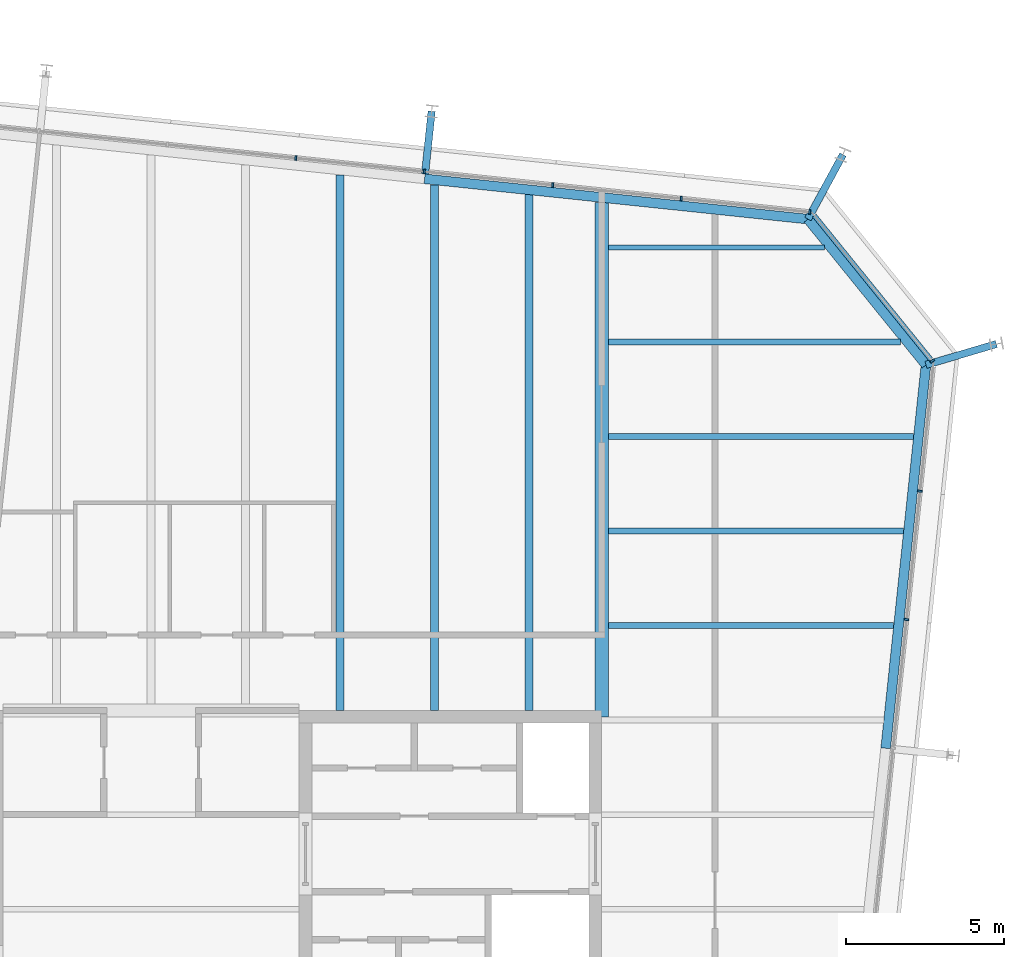
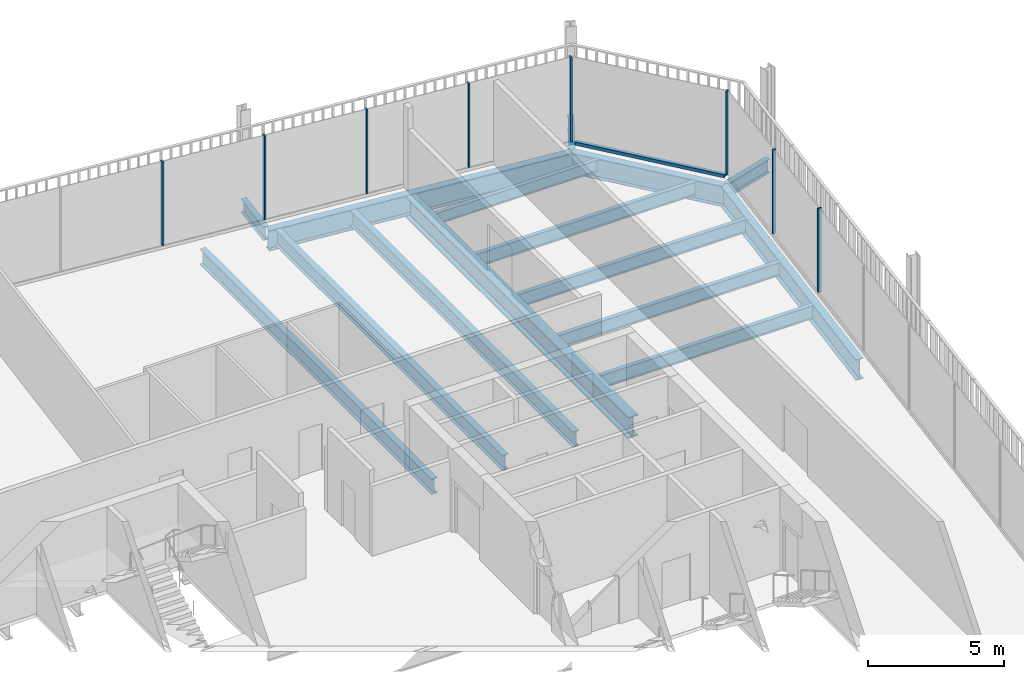
# One storey, part 14 of 20: 15 beams, 9 members, 3 elements without a shape of their own.
"""IFC4 building model written with IfcOpenShell, lengths in metres."""

import ifcopenshell
import ifcopenshell.guid

model = None  # the IFC model being written
_history = None  # IfcOwnerHistory: only IFC2X3 demands one
_inside = {}  # id of a spatial element -> (the spatial element, [elements in it])
_under = {}  # id of a project, library or spatial element -> (it, [spatial elements below it])
_declared = {}  # id of a project -> (the project, [libraries it declares])
_typed = {}  # id of a type object -> (the type object, [elements of that type])
_made_of = {}  # id of a material, layer set ... -> (it, [elements and type objects made of it])


def new_model(schema):
    """Start an empty IFC model of exactly this schema.

    Asked for "IFC4X3", IfcOpenShell would pick the latest addendum, in which some entities
    have other attributes; the version numbers below select the first issue.
    IFC2X3 requires an IfcOwnerHistory on every rooted entity: one is made here for all.
    """
    global model, _history
    if schema == "IFC4X3":
        model = ifcopenshell.file(schema_version=(4, 3, 0, 0))
    else:
        model = ifcopenshell.file(schema=schema)
    _inside.clear()
    _under.clear()
    _declared.clear()
    _typed.clear()
    _made_of.clear()
    _history = None
    if model.schema == "IFC2X3":
        org = make("IfcOrganization", Name="unknown")
        user = make(
            "IfcPersonAndOrganization",
            ThePerson=make("IfcPerson", FamilyName="unknown"),
            TheOrganization=org,
        )
        app = make(
            "IfcApplication",
            ApplicationDeveloper=org,
            Version="unknown",
            ApplicationFullName="unknown",
            ApplicationIdentifier="unknown",
        )
        _history = make(
            "IfcOwnerHistory",
            OwningUser=user,
            OwningApplication=app,
            ChangeAction="ADDED",
            CreationDate=0,
        )
    return model


def make(cls, **values):
    """One entity of the class cls with the attributes given. An attribute that is None is left unset."""
    return model.create_entity(
        cls, **{name: value for name, value in values.items() if value is not None}
    )


def rooted(cls, **values):
    """An entity with a GlobalId (a new one), such as an element, a storey or a relation."""
    return make(cls, GlobalId=ifcopenshell.guid.new(), OwnerHistory=_history, **values)


def si_unit(unit_type, name, prefix=None):
    """IfcSIUnit, for example si_unit("LENGTHUNIT", "METRE", prefix="MILLI")."""
    return make("IfcSIUnit", UnitType=unit_type, Prefix=prefix, Name=name)


def assignment(units):
    """IfcUnitAssignment: the units of a project."""
    return None if units is None else make("IfcUnitAssignment", Units=units)


def point(xyz):
    """IfcCartesianPoint."""
    return None if xyz is None else make("IfcCartesianPoint", Coordinates=xyz)


def direction(xyz):
    """IfcDirection."""
    return None if xyz is None else make("IfcDirection", DirectionRatios=xyz)


def frame(location, z_axis=None, x_axis=None):
    """IfcAxis2Placement3D, a coordinate frame: its origin and axes. An axis left out is left unset."""
    return make(
        "IfcAxis2Placement3D",
        Location=point(location),
        Axis=direction(z_axis),
        RefDirection=direction(x_axis),
    )


def frame_2d(location, x_axis=None):
    """IfcAxis2Placement2D, a coordinate frame in the plane: its origin and x axis."""
    return make(
        "IfcAxis2Placement2D", Location=point(location), RefDirection=direction(x_axis)
    )


def origin():
    """The frame at (0, 0, 0) with its axes left unset."""
    return frame((0.0, 0.0, 0.0))


def origin_2d():
    """The frame at (0, 0) in the plane with its x axis left unset."""
    return frame_2d((0.0, 0.0))


def place(relative_to, where):
    """IfcLocalPlacement: puts the frame where relative to a parent placement (None: the world)."""
    return make(
        "IfcLocalPlacement", PlacementRelTo=relative_to, RelativePlacement=where
    )


def context(
    kind, dimensions, precision=None, world=None, true_north=None, identifier=None
):
    """IfcGeometricRepresentationContext, for example the 3D "Model" context."""
    return make(
        "IfcGeometricRepresentationContext",
        ContextIdentifier=identifier,
        ContextType=kind,
        CoordinateSpaceDimension=dimensions,
        Precision=precision,
        WorldCoordinateSystem=world,
        TrueNorth=true_north,
    )


def subcontext(parent, identifier, kind, view, scale=None):
    """IfcGeometricRepresentationSubContext, for example "Body" below "Model"."""
    return make(
        "IfcGeometricRepresentationSubContext",
        ContextIdentifier=identifier,
        ContextType=kind,
        ParentContext=parent,
        TargetScale=scale,
        TargetView=view,
    )


def project(units=None, contexts=None):
    """IfcProject with its units and contexts."""
    return rooted(
        "IfcProject",
        Name="project",
        RepresentationContexts=contexts,
        UnitsInContext=assignment(units),
    )


def spatial(cls, under=None, at=None, **own):
    """A site, building, storey or space (cls), placed at a placement, below another one or the project."""
    s = rooted(cls, ObjectPlacement=at, **own)
    if under is not None:
        _under.setdefault(under.id(), (under, []))[1].append(s)
    return s


def profile(cls, at=None, kind="AREA", **sizes):
    """A parametric profile (cls). Its sizes go by their IFC names, for example OverallWidth=200.0."""
    return make(cls, ProfileType=kind, Position=at, **sizes)


def rectangle(**sizes):
    """IfcRectangleProfileDef."""
    return profile("IfcRectangleProfileDef", **sizes)


def i_section(**sizes):
    """IfcIShapeProfileDef."""
    return profile("IfcIShapeProfileDef", **sizes)


def extrude(swept, where, along, depth):
    """IfcExtrudedAreaSolid: the profile swept, set in the frame where, extruded along a direction by depth."""
    return make(
        "IfcExtrudedAreaSolid",
        SweptArea=swept,
        Position=where,
        ExtrudedDirection=direction(along),
        Depth=depth,
    )


def shape(context_of_items, identifier, shape_type, items):
    """IfcShapeRepresentation: the items that make up one representation, for example the "Body"."""
    return make(
        "IfcShapeRepresentation",
        ContextOfItems=context_of_items,
        RepresentationIdentifier=identifier,
        RepresentationType=shape_type,
        Items=items,
    )


def material(Name=None, Category=None):
    """IfcMaterial."""
    return make("IfcMaterial", Name=Name, Category=Category)


def layer(
    of_material, thickness, ventilated=None, Name=None, Category=None, Priority=None
):
    """IfcMaterialLayer: one layer of a wall or slab, of a material (None: an air gap)."""
    return make(
        "IfcMaterialLayer",
        Material=of_material,
        LayerThickness=thickness,
        IsVentilated=ventilated,
        Name=Name,
        Category=Category,
        Priority=Priority,
    )


def layer_set(layers, Name=None):
    """IfcMaterialLayerSet."""
    return make("IfcMaterialLayerSet", MaterialLayers=layers, LayerSetName=Name)


def material_profile(
    of_material, cross_section, Name=None, Category=None, Priority=None
):
    """IfcMaterialProfile: a cross section and its material."""
    return make(
        "IfcMaterialProfile",
        Name=Name,
        Material=of_material,
        Profile=cross_section,
        Priority=Priority,
        Category=Category,
    )


def profile_set(profiles, Name=None, composite=None):
    """IfcMaterialProfileSet."""
    return make(
        "IfcMaterialProfileSet",
        Name=Name,
        MaterialProfiles=profiles,
        CompositeProfile=composite,
    )


def made_of(thing, what):
    """Note that an element or type object is made of a material, layer set ...; save() writes the relation."""
    if what is not None:
        _made_of.setdefault(what.id(), (what, []))[1].append(thing)
    return thing


def type_object(cls, material=None, **own):
    """A type object (cls), such as IfcWallType, which elements share."""
    return made_of(rooted(cls, **own), material)


def element(
    cls,
    number,
    at=None,
    inside=None,
    cuts=None,
    type_object=None,
    material=None,
    context=None,
    identifier="Body",
    shape_type=None,
    held_by="IfcProductDefinitionShape",
    body=None,
    shapes=None,
    **own,
):
    """One element of the class cls, such as IfcWall. Its Tag is "e" and its number.

    at: its placement. inside: the storey or other place that contains it. cuts: it is an
    opening in that element (IfcRelVoidsElement). A single representation is given by context,
    identifier, shape_type and body (its items); several are given by shapes. held_by: the class
    of the entity that holds the representations. save() writes the other relations.
    """
    e = rooted(cls, Tag="e%d" % number, ObjectPlacement=at, **own)
    if body is not None:
        shapes = [shape(context, identifier, shape_type, body)]
    if shapes is not None:
        e.Representation = make(held_by, Representations=shapes)
    if inside is not None:
        _inside.setdefault(inside.id(), (inside, []))[1].append(e)
    if cuts is not None:
        rooted(
            "IfcRelVoidsElement", RelatingBuildingElement=cuts, RelatedOpeningElement=e
        )
    if type_object is not None:
        _typed.setdefault(type_object.id(), (type_object, []))[1].append(e)
    return made_of(e, material)


def aggregate(whole, parts):
    """IfcRelAggregates: a whole, such as a stair, and the parts it consists of."""
    return rooted("IfcRelAggregates", RelatingObject=whole, RelatedObjects=parts)


def save(model, path):
    """Write the relations noted so far, then the file.

    IfcRelAggregates (storeys below a building ...), IfcRelContainedInSpatialStructure (elements
    in a storey), IfcRelDefinesByType, IfcRelAssociatesMaterial and IfcRelDeclares: one each for
    every whole, place, type object, material and project.
    """
    for whole, parts in _under.values():
        aggregate(whole, parts)
    for where, things in _inside.values():
        rooted(
            "IfcRelContainedInSpatialStructure",
            RelatedElements=things,
            RelatingStructure=where,
        )
    for kind, things in _typed.values():
        rooted("IfcRelDefinesByType", RelatedObjects=things, RelatingType=kind)
    for what, things in _made_of.values():
        rooted("IfcRelAssociatesMaterial", RelatedObjects=things, RelatingMaterial=what)
    for by, libraries in _declared.values():
        rooted("IfcRelDeclares", RelatingContext=by, RelatedDefinitions=libraries)
    model.write(path)


model = new_model("IFC4")

# Units and contexts
model_context = context("Model", 3, precision=1e-05, world=origin(), true_north=direction((0.0, 1.0)))
body_context = subcontext(model_context, "Body", "Model", "MODEL_VIEW")
ifc_project = project(units=[si_unit("LENGTHUNIT", "METRE"), si_unit("AREAUNIT", "SQUARE_METRE"), si_unit("VOLUMEUNIT", "CUBIC_METRE"), si_unit("PLANEANGLEUNIT", "RADIAN"), si_unit("MASSUNIT", "GRAM", prefix="KILO")], contexts=[model_context])

# Site, building, storey
site_placement = place(None, origin())
site = spatial("IfcSite", under=ifc_project, at=site_placement, CompositionType="ELEMENT")
building_placement = place(site_placement, origin())
building = spatial("IfcBuilding", under=site, at=building_placement, Name="Millrace Tower", CompositionType="ELEMENT")
storey_placement = place(building_placement, frame((0.0, 0.0, 322.60009765625)))
storey = spatial("IfcBuildingStorey", under=building, at=storey_placement, Name="L74", CompositionType="ELEMENT", Elevation=322.60009765625)

# Curtain wall, members
ifc_material_1 = material(Name="Aluminium and glass", Category="aluminium")
ifc_layer = layer(ifc_material_1, 0.14990234375)
ifc_layer_set = layer_set([ifc_layer], Name="Aluminium and glass")
curtain_wall_type = type_object("IfcCurtainWallType", Name="CW-1 office vision curtain wall", PredefinedType="NOTDEFINED", material=ifc_layer_set)
placement = place(storey_placement, origin())
curtain_wall_1 = element("IfcCurtainWall", 1, at=placement, inside=storey, type_object=curtain_wall_type, Name="Curtain wall E-F04 L74", PredefinedType="NOTDEFINED")
ifc_material_2 = material(Name="Aluminium", Category="aluminium")
ifc_material_profile_1 = material_profile(ifc_material_2, rectangle(XDim=0.06494140625, YDim=0.14990234375, at=origin_2d()))
ifc_profile_set_1 = profile_set([ifc_material_profile_1], Name="Aluminium")
member_type_1 = type_object("IfcMemberType", Name="CW-1 office vision curtain wall mullion", PredefinedType="MULLION", material=ifc_profile_set_1)
member_1_placement = place(storey_placement, frame((23.974853515625, 12.1904296875, 0.139892578125), z_axis=(0.0, 0.0, 1.0), x_axis=(0.104528455196, 0.994521896217, 0.0)))
member_1 = element("IfcMember", 2, at=member_1_placement, type_object=member_type_1, Name="CW1 mullion E-F04.8", PredefinedType="MULLION", context=body_context, shape_type="SweptSolid", body=[
    extrude(rectangle(XDim=0.06494140625, YDim=0.14990234375, at=origin_2d()), origin(), (0.0, 0.0, 1.0), 3.760009765625),
])
member_2_placement = place(storey_placement, frame((24.4033203125, 16.267822265625, 0.139892578125), z_axis=(0.0, 0.0, 1.0), x_axis=(0.104528455196, 0.994521896217, 0.0)))
member_2 = element("IfcMember", 3, at=member_2_placement, type_object=member_type_1, Name="CW1 mullion E-F04.9", PredefinedType="MULLION", context=body_context, shape_type="SweptSolid", body=[
    extrude(rectangle(XDim=0.06494140625, YDim=0.14990234375, at=origin_2d()), origin(), (0.0, 0.0, 1.0), 3.760009765625),
])
aggregate(curtain_wall_1, [member_1, member_2])

# Curtain wall, member
curtain_wall_2 = element("IfcCurtainWall", 4, at=placement, inside=storey, type_object=curtain_wall_type, Name="Curtain wall E-F05 L74", PredefinedType="NOTDEFINED")
member_3_placement = place(storey_placement, frame((24.791748046875, 20.393310546875, 0.139892578125), z_axis=(0.0, 0.0, 1.0), x_axis=(-0.629320278945, 0.777146052237, 0.0)))
member_3 = element("IfcMember", 5, at=member_3_placement, type_object=member_type_1, Name="CW1 mullion E-F05.1", PredefinedType="MULLION", context=body_context, shape_type="SweptSolid", body=[
    extrude(rectangle(XDim=0.06494140625, YDim=0.14990234375, at=origin_2d()), origin(), (0.0, 0.0, 1.0), 3.760009765625),
])

# Curtain wall, members
curtain_wall_3 = element("IfcCurtainWall", 6, at=placement, inside=storey, type_object=curtain_wall_type, Name="Curtain wall E-F06 L74", PredefinedType="NOTDEFINED")
member_4_placement = place(storey_placement, frame((20.902587890625, 25.124755859375, 0.139892578125), z_axis=(0.0, 0.0, 1.0), x_axis=(-0.994521896217, 0.104528455196, 0.0)))
member_4 = element("IfcMember", 7, at=member_4_placement, type_object=member_type_1, Name="CW1 mullion E-F06.1", PredefinedType="MULLION", context=body_context, shape_type="SweptSolid", body=[
    extrude(rectangle(XDim=0.06494140625, YDim=0.14990234375, at=origin_2d()), origin(), (0.0, 0.0, 1.0), 3.760009765625),
])
member_5_placement = place(storey_placement, frame((16.824951171875, 25.553466796875, 0.139892578125), z_axis=(0.0, 0.0, 1.0), x_axis=(-0.994521896217, 0.104528455196, 0.0)))
member_5 = element("IfcMember", 8, at=member_5_placement, type_object=member_type_1, Name="CW1 mullion E-F06.2", PredefinedType="MULLION", context=body_context, shape_type="SweptSolid", body=[
    extrude(rectangle(XDim=0.06494140625, YDim=0.14990234375, at=origin_2d()), origin(), (0.0, 0.0, 1.0), 3.760009765625),
])
member_6_placement = place(storey_placement, frame((12.747314453125, 25.98193359375, 0.139892578125), z_axis=(0.0, 0.0, 1.0), x_axis=(-0.994521896217, 0.104528455196, 0.0)))
member_6 = element("IfcMember", 9, at=member_6_placement, type_object=member_type_1, Name="CW1 mullion E-F06.3", PredefinedType="MULLION", context=body_context, shape_type="SweptSolid", body=[
    extrude(rectangle(XDim=0.06494140625, YDim=0.14990234375, at=origin_2d()), origin(), (0.0, 0.0, 1.0), 3.760009765625),
])
member_7_placement = place(storey_placement, frame((8.669921875, 26.410400390625, 0.139892578125), z_axis=(0.0, 0.0, 1.0), x_axis=(-0.994521896217, 0.104528455196, 0.0)))
member_7 = element("IfcMember", 10, at=member_7_placement, type_object=member_type_1, Name="CW1 mullion E-F06.4", PredefinedType="MULLION", context=body_context, shape_type="SweptSolid", body=[
    extrude(rectangle(XDim=0.06494140625, YDim=0.14990234375, at=origin_2d()), origin(), (0.0, 0.0, 1.0), 3.760009765625),
])
member_8_placement = place(storey_placement, frame((4.59228515625, 26.839111328125, 0.139892578125), z_axis=(0.0, 0.0, 1.0), x_axis=(-0.994521896217, 0.104528455196, 0.0)))
member_8 = element("IfcMember", 11, at=member_8_placement, type_object=member_type_1, Name="CW1 mullion E-F06.5", PredefinedType="MULLION", context=body_context, shape_type="SweptSolid", body=[
    extrude(rectangle(XDim=0.06494140625, YDim=0.14990234375, at=origin_2d()), origin(), (0.0, 0.0, 1.0), 3.760009765625),
])
aggregate(curtain_wall_3, [member_4, member_5, member_6, member_7, member_8])

# Member
ifc_material_3 = material(Name="Aluminium", Category="aluminium")
ifc_material_profile_2 = material_profile(ifc_material_3, rectangle(XDim=0.14990234375, YDim=0.139892578125, at=origin_2d()))
ifc_profile_set_2 = profile_set([ifc_material_profile_2], Name="Aluminium")
member_type_2 = type_object("IfcMemberType", Name="CW-1 office vision curtain wall transom", PredefinedType="USERDEFINED", material=ifc_profile_set_2)
member_9_placement = place(storey_placement, frame((24.749267578125, 20.44580078125, 0.06982421875), z_axis=(-0.629321221277, 0.777145289151, 0.0), x_axis=(-0.777145289151, -0.629321221277, 0.0)))
member_9 = element("IfcMember", 12, at=member_9_placement, type_object=member_type_2, Name="CW1 transom E-F05.1", ObjectType="TRANSOM", PredefinedType="USERDEFINED", context=body_context, shape_type="SweptSolid", body=[
    extrude(rectangle(XDim=0.14990234375, YDim=0.139892578125, at=origin_2d()), origin(), (0.0, 0.0, 1.0), 5.881103515625),
])

aggregate(curtain_wall_2, [member_3, member_9])

# Beams
ifc_material_4 = material(Name="Steel ASTM A992 Grade 50", Category="steel")
ifc_material_profile_3 = material_profile(ifc_material_4, i_section(OverallWidth=0.1650390625, OverallDepth=0.52587890625, WebThickness=0.0087890625, FlangeThickness=0.011474609375, FilletRadius=0.0126953125, at=origin_2d()))
ifc_profile_set_3 = profile_set([ifc_material_profile_3], Name="Steel ASTM A992 Grade 50")
beam_type_1 = type_object("IfcBeamType", Name="Floor beam W21x44", PredefinedType="JOIST", material=ifc_profile_set_3)
beam_1_placement = place(storey_placement, frame((14.509521484375, 24.0, -0.423095703125), z_axis=(1.0, 0.0, 0.0), x_axis=(0.0, 1.0, 0.0)))
element("IfcBeam", 13, at=beam_1_placement, inside=storey, type_object=beam_type_1, Name="BM-E-L74-S1-S034", PredefinedType="JOIST", context=body_context, shape_type="SweptSolid", body=[
    extrude(i_section(OverallWidth=0.1650390625, OverallDepth=0.52587890625, WebThickness=0.0087890625, FlangeThickness=0.011474609375, FilletRadius=0.0126953125, at=origin_2d()), origin(), (0.0, 0.0, 1.0), 6.861572265625),
])
ifc_material_5 = material(Name="Steel ASTM A992 Grade 50", Category="steel")
ifc_material_profile_4 = material_profile(ifc_material_5, i_section(OverallWidth=0.177978515625, OverallDepth=0.599365234375, WebThickness=0.010009765625, FlangeThickness=0.012939453125, FilletRadius=0.012939453125, at=origin_2d()))
ifc_profile_set_4 = profile_set([ifc_material_profile_4], Name="Steel ASTM A992 Grade 50")
beam_type_2 = type_object("IfcBeamType", Name="Floor beam W24x55", PredefinedType="JOIST", material=ifc_profile_set_4)
beam_2_placement = place(storey_placement, frame((14.509521484375, 12.0, -0.459716796875), z_axis=(1.0, 0.0, 0.0), x_axis=(0.0, 1.0, 0.0)))
element("IfcBeam", 14, at=beam_2_placement, inside=storey, type_object=beam_type_2, Name="BM-E-L74-S1-S026", PredefinedType="JOIST", context=body_context, shape_type="SweptSolid", body=[
    extrude(i_section(OverallWidth=0.177978515625, OverallDepth=0.599365234375, WebThickness=0.010009765625, FlangeThickness=0.012939453125, FilletRadius=0.012939453125, at=origin_2d()), origin(), (0.0, 0.0, 1.0), 9.060791015625),
])
beam_3_placement = place(storey_placement, frame((14.509521484375, 15.0, -0.459716796875), z_axis=(1.0, 0.0, 0.0), x_axis=(0.0, 1.0, 0.0)))
element("IfcBeam", 15, at=beam_3_placement, inside=storey, type_object=beam_type_2, Name="BM-E-L74-S1-S028", PredefinedType="JOIST", context=body_context, shape_type="SweptSolid", body=[
    extrude(i_section(OverallWidth=0.177978515625, OverallDepth=0.599365234375, WebThickness=0.010009765625, FlangeThickness=0.012939453125, FilletRadius=0.012939453125, at=origin_2d()), origin(), (0.0, 0.0, 1.0), 9.376220703125),
])
beam_4_placement = place(storey_placement, frame((14.509521484375, 18.0, -0.459716796875), z_axis=(1.0, 0.0, 0.0), x_axis=(0.0, 1.0, 0.0)))
element("IfcBeam", 16, at=beam_4_placement, inside=storey, type_object=beam_type_2, Name="BM-E-L74-S1-S030", PredefinedType="JOIST", context=body_context, shape_type="SweptSolid", body=[
    extrude(i_section(OverallWidth=0.177978515625, OverallDepth=0.599365234375, WebThickness=0.010009765625, FlangeThickness=0.012939453125, FilletRadius=0.012939453125, at=origin_2d()), origin(), (0.0, 0.0, 1.0), 9.69140625),
])
beam_5_placement = place(storey_placement, frame((14.509521484375, 21.0, -0.459716796875), z_axis=(1.0, 0.0, 0.0), x_axis=(0.0, 1.0, 0.0)))
element("IfcBeam", 17, at=beam_5_placement, inside=storey, type_object=beam_type_2, Name="BM-E-L74-S1-S032", PredefinedType="JOIST", context=body_context, shape_type="SweptSolid", body=[
    extrude(i_section(OverallWidth=0.177978515625, OverallDepth=0.599365234375, WebThickness=0.010009765625, FlangeThickness=0.012939453125, FilletRadius=0.012939453125, at=origin_2d()), origin(), (0.0, 0.0, 1.0), 9.282958984375),
])
ifc_material_6 = material(Name="Steel ASTM A992 Grade 50", Category="steel")
ifc_material_profile_5 = material_profile(ifc_material_6, i_section(OverallWidth=0.256591796875, OverallDepth=0.693359375, WebThickness=0.014404296875, FlangeThickness=0.023681640625, FilletRadius=0.01513671875, at=origin_2d()))
ifc_profile_set_5 = profile_set([ifc_material_profile_5], Name="Steel ASTM A992 Grade 50")
beam_type_3 = type_object("IfcBeamType", Name="Floor beam W27x114", PredefinedType="JOIST", material=ifc_profile_set_5)
beam_6_placement = place(storey_placement, frame((6.0, 9.300048828125, -0.5068359375), z_axis=(0.0, 1.0, 0.0), x_axis=(-1.0, 0.0, 0.0)))
element("IfcBeam", 18, at=beam_6_placement, inside=storey, type_object=beam_type_3, Name="BM-E-L74-S1-S048", PredefinedType="JOIST", context=body_context, shape_type="SweptSolid", body=[
    extrude(i_section(OverallWidth=0.256591796875, OverallDepth=0.693359375, WebThickness=0.014404296875, FlangeThickness=0.023681640625, FilletRadius=0.01513671875, at=origin_2d()), origin(), (0.0, 0.0, 1.0), 17.006591796875),
])
beam_7_placement = place(storey_placement, frame((9.0, 9.300048828125, -0.5068359375), z_axis=(0.0, 1.0, 0.0), x_axis=(-1.0, 0.0, 0.0)))
element("IfcBeam", 19, at=beam_7_placement, inside=storey, type_object=beam_type_3, Name="BM-E-L74-S1-S050", PredefinedType="JOIST", context=body_context, shape_type="SweptSolid", body=[
    extrude(i_section(OverallWidth=0.256591796875, OverallDepth=0.693359375, WebThickness=0.014404296875, FlangeThickness=0.023681640625, FilletRadius=0.01513671875, at=origin_2d()), origin(), (0.0, 0.0, 1.0), 16.69140625),
])
beam_8_placement = place(storey_placement, frame((12.0, 9.300048828125, -0.5068359375), z_axis=(0.0, 1.0, 0.0), x_axis=(-1.0, 0.0, 0.0)))
element("IfcBeam", 20, at=beam_8_placement, inside=storey, type_object=beam_type_3, Name="BM-E-L74-S1-S052", PredefinedType="JOIST", context=body_context, shape_type="SweptSolid", body=[
    extrude(i_section(OverallWidth=0.256591796875, OverallDepth=0.693359375, WebThickness=0.014404296875, FlangeThickness=0.023681640625, FilletRadius=0.01513671875, at=origin_2d()), origin(), (0.0, 0.0, 1.0), 16.3759765625),
])
ifc_material_7 = material(Name="Steel ASTM A992 Grade 50", Category="steel")
ifc_material_profile_6 = material_profile(ifc_material_7, i_section(OverallWidth=0.424072265625, OverallDepth=0.947509765625, WebThickness=0.02392578125, FlangeThickness=0.042724609375, FilletRadius=0.024169921875, at=origin_2d()))
ifc_profile_set_6 = profile_set([ifc_material_profile_6], Name="Steel ASTM A992 Grade 50")
beam_type_4 = type_object("IfcBeamType", Name="Girder medium span W36x302", PredefinedType="BEAM", material=ifc_profile_set_6)
beam_9_placement = place(storey_placement, frame((14.300048828125, 9.092041015625, -0.6337890625), z_axis=(0.0, 1.0, 0.0), x_axis=(-1.0, 0.0, 0.0)))
element("IfcBeam", 21, at=beam_9_placement, inside=storey, type_object=beam_type_4, Name="BM-E-L74-S1-G056", PredefinedType="BEAM", context=body_context, shape_type="SweptSolid", body=[
    extrude(i_section(OverallWidth=0.424072265625, OverallDepth=0.947509765625, WebThickness=0.02392578125, FlangeThickness=0.042724609375, FilletRadius=0.024169921875, at=origin_2d()), origin(), (0.0, 0.0, 1.0), 16.34228515625),
])
ifc_material_8 = material(Name="Steel ASTM A992 Grade 50", Category="steel")
ifc_material_profile_7 = material_profile(ifc_material_8, i_section(OverallWidth=0.23046875, OverallDepth=0.6171875, WebThickness=0.01318359375, FlangeThickness=0.022216796875, FilletRadius=0.012939453125, at=origin_2d()))
ifc_profile_set_7 = profile_set([ifc_material_profile_7], Name="Steel ASTM A992 Grade 50")
beam_type_5 = type_object("IfcBeamType", Name="Link beam W24x94", PredefinedType="BEAM", material=ifc_profile_set_7)
beam_10_placement = place(storey_placement, frame((8.6943359375, 26.33251953125, -0.46875), z_axis=(0.104494148666, 0.99452550138, 0.0), x_axis=(-0.99452550138, 0.104494148666, 0.0)))
element("IfcBeam", 22, at=beam_10_placement, inside=storey, type_object=beam_type_5, Name="LNK-E-L74-S1-07", PredefinedType="BEAM", context=body_context, shape_type="SweptSolid", body=[
    extrude(i_section(OverallWidth=0.23046875, OverallDepth=0.6171875, WebThickness=0.01318359375, FlangeThickness=0.022216796875, FilletRadius=0.012939453125, at=origin_2d()), origin(), (0.0, 0.0, 1.0), 2.0),
])
for number, where, z_axis, x_axis, name in (
    (23, (20.84765625, 24.900634765625, -0.46875), (0.477163510307, 0.87881453358, 0.0), (-0.87881453358, 0.477163510307, 0.0), "LNK-E-L74-S1-08"),
    (24, (24.594482421875, 20.273681640625, -0.46875), (0.958815015936, 0.284031275065, 0.0), (-0.284031275065, 0.958815015936, 0.0), "LNK-E-L74-S1-09"),
):
    element("IfcBeam", number, at=place(storey_placement, frame(where, z_axis=z_axis, x_axis=x_axis)), inside=storey, type_object=beam_type_5, Name=name, PredefinedType="BEAM", context=body_context, shape_type="SweptSolid", body=[
        extrude(i_section(OverallWidth=0.23046875, OverallDepth=0.6171875, WebThickness=0.01318359375, FlangeThickness=0.022216796875, FilletRadius=0.012939453125, at=origin_2d()), origin(), (0.0, 0.0, 1.0), 2.3310546875),
    ])
ifc_material_9 = material(Name="Steel ASTM A992 Grade 50", Category="steel")
ifc_material_profile_8 = material_profile(ifc_material_9, i_section(OverallWidth=0.307373046875, OverallDepth=0.927001953125, WebThickness=0.01953125, FlangeThickness=0.031982421875, FilletRadius=0.01904296875, at=origin_2d()))
ifc_profile_set_8 = profile_set([ifc_material_profile_8], Name="Steel ASTM A992 Grade 50")
beam_type_6 = type_object("IfcBeamType", Name="Ring beam medium span W36x194", PredefinedType="SPANDREL", material=ifc_profile_set_8)
for number, where, z_axis, x_axis, name in (
    (25, (8.67822265625, 26.1796875, -0.62353515625), (0.994521948696, -0.104527955888, 0.0), (0.104527955888, 0.994521948696, 0.0), "RNG-E-L74-S1-07"),
    (26, (24.594482421875, 20.273681640625, -0.62353515625), (-0.104527955888, -0.994521948696, 0.0), (0.994521948696, -0.104527955888, 0.0), "RNG-E-L74-S1-09"),
):
    element("IfcBeam", number, at=place(storey_placement, frame(where, z_axis=z_axis, x_axis=x_axis)), inside=storey, type_object=beam_type_6, Name=name, PredefinedType="SPANDREL", context=body_context, shape_type="SweptSolid", body=[
        extrude(i_section(OverallWidth=0.307373046875, OverallDepth=0.927001953125, WebThickness=0.01953125, FlangeThickness=0.031982421875, FilletRadius=0.01904296875, at=origin_2d()), origin(), (0.0, 0.0, 1.0), 12.236572265625),
    ])
ifc_material_10 = material(Name="Steel ASTM A992 Grade 50", Category="steel")
ifc_material_profile_9 = material_profile(ifc_material_10, i_section(OverallWidth=0.307373046875, OverallDepth=0.927001953125, WebThickness=0.01953125, FlangeThickness=0.031982421875, FilletRadius=0.01904296875, at=origin_2d()))
ifc_profile_set_9 = profile_set([ifc_material_profile_9], Name="Steel ASTM A992 Grade 50")
beam_type_7 = type_object("IfcBeamType", Name="Ring beam short span W36x194", PredefinedType="SPANDREL", material=ifc_profile_set_9)
beam_11_placement = place(storey_placement, frame((20.84765625, 24.900634765625, -0.62353515625), z_axis=(0.629319722443, -0.777146502883, 0.0), x_axis=(0.777146502883, 0.629319722443, 0.0)))
element("IfcBeam", 27, at=beam_11_placement, inside=storey, type_object=beam_type_7, Name="RNG-E-L74-S1-08", PredefinedType="SPANDREL", context=body_context, shape_type="SweptSolid", body=[
    extrude(i_section(OverallWidth=0.307373046875, OverallDepth=0.927001953125, WebThickness=0.01953125, FlangeThickness=0.031982421875, FilletRadius=0.01904296875, at=origin_2d()), origin(), (0.0, 0.0, 1.0), 5.953857421875),
])

save(model, "model.ifc")
